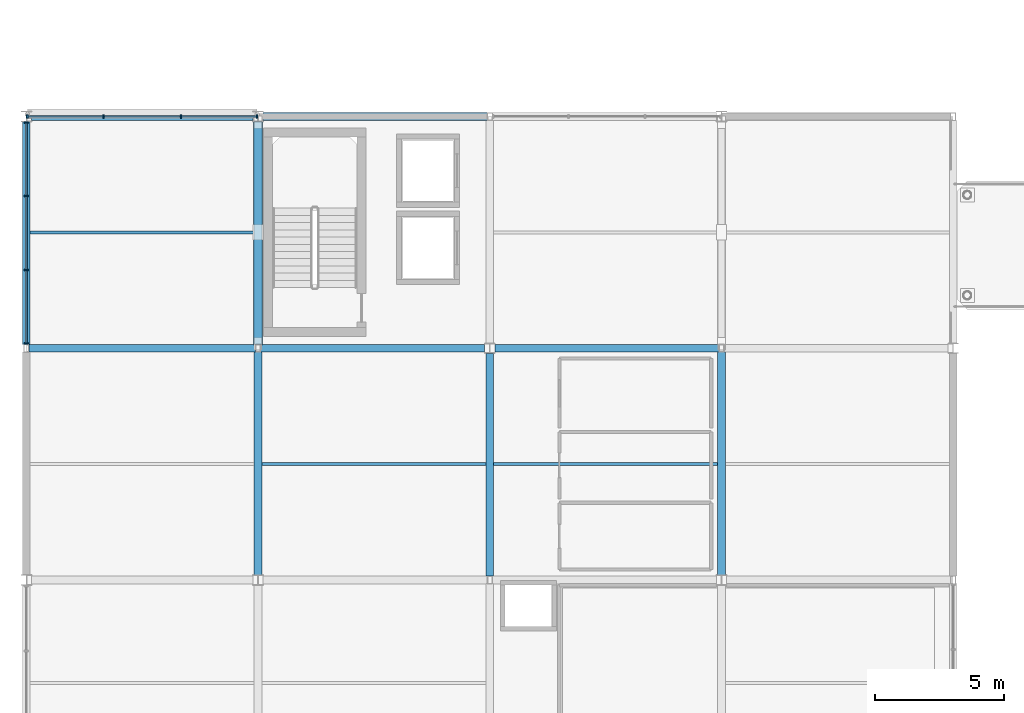
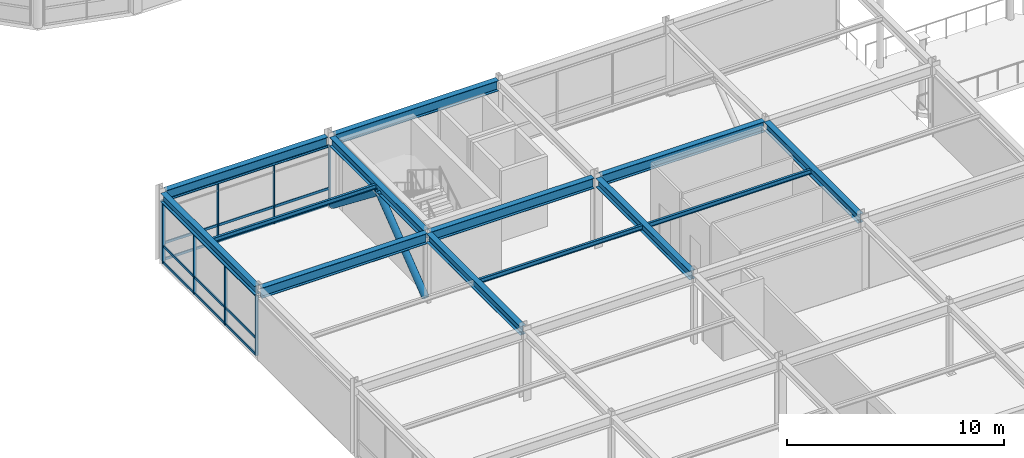
# One storey, part 29 of 105: 28 members, 13 beams, 2 elements without a shape of their own.
"""IFC4 building model written with IfcOpenShell, lengths in metres."""

from ifc_helpers import new_model, si_unit, direction, frame, origin, origin_2d, place, context, subcontext, project, spatial, rectangle, hollow_circle, i_section, extrude, material, material_profile, profile_set, type_object, element, aggregate, save


model = new_model("IFC4")

# Units and contexts
model_context = context("Model", 3, precision=1e-05, world=origin(), true_north=direction((0.0, 1.0)))
body_context = subcontext(model_context, "Body", "Model", "MODEL_VIEW")
ifc_project = project(units=[si_unit("LENGTHUNIT", "METRE"), si_unit("AREAUNIT", "SQUARE_METRE"), si_unit("VOLUMEUNIT", "CUBIC_METRE"), si_unit("PLANEANGLEUNIT", "RADIAN"), si_unit("MASSUNIT", "GRAM", prefix="KILO")], contexts=[model_context])

# Site, building, storey
site_placement = place(None, origin())
site = spatial("IfcSite", under=ifc_project, at=site_placement, CompositionType="ELEMENT")
building_placement = place(site_placement, origin())
building = spatial("IfcBuilding", under=site, at=building_placement, Name="Suzunagisa Mobility Hub", CompositionType="ELEMENT")
storey_placement = place(building_placement, frame((0.0, 0.0, 5.10009765625)))
storey = spatial("IfcBuildingStorey", under=building, at=storey_placement, Name="L01", CompositionType="ELEMENT", Elevation=5.10009765625)

# Curtain wall, members
ifc_material_1 = material(Name="Thermally Broken Anodized Aluminum and Low-E Glazing", Category="aluminium")
curtain_wall_type_1 = type_object("IfcCurtainWallType", Name="Unitised Curtain Wall CW-41 9000x3400", PredefinedType="USERDEFINED", material=ifc_material_1)
curtain_wall_1_placement = place(storey_placement, origin())
curtain_wall_1 = element("IfcCurtainWall", 1, at=curtain_wall_1_placement, inside=storey, type_object=curtain_wall_type_1, Name="L01 Unitised Curtain Wall CW-18", ObjectType="UNITISED CURTAIN WALL", PredefinedType="USERDEFINED")
ifc_material_2 = material(Name="Anodized Aluminum 6063-T6", Category="aluminium")
ifc_material_profile_1 = material_profile(ifc_material_2, rectangle(XDim=0.06494140625, YDim=0.139892578125, at=origin_2d()), Name="TRAN-65x140")
ifc_profile_set_1 = profile_set([ifc_material_profile_1], Name="Anodized Aluminum 6063-T6")
member_type_1 = type_object("IfcMemberType", Name="Curtain Wall Framing CM-01 TRAN-65x140", PredefinedType="USERDEFINED", material=ifc_profile_set_1)
member_1_placement = place(storey_placement, frame((8.9375, 62.0, 0.032470703125), z_axis=(-1.0, 0.0, 0.0), x_axis=(0.0, -1.0, 0.0)))
member_1 = element("IfcMember", 2, at=member_1_placement, type_object=member_type_1, Name="Curtain Wall Transom 18-T1.1", ObjectType="TRANSOM", PredefinedType="USERDEFINED", context=body_context, shape_type="SweptSolid", body=[
    extrude(rectangle(XDim=0.06494140625, YDim=0.139892578125, at=origin_2d()), origin(), (0.0, 0.0, 1.0), 2.910888671875),
])
member_2_placement = place(storey_placement, frame((8.9375, 62.0, 0.949951171875), z_axis=(-1.0, 0.0, 0.0), x_axis=(0.0, -1.0, 0.0)))
member_2 = element("IfcMember", 3, at=member_2_placement, type_object=member_type_1, Name="Curtain Wall Transom 18-T1.2", ObjectType="TRANSOM", PredefinedType="USERDEFINED", context=body_context, shape_type="SweptSolid", body=[
    extrude(rectangle(XDim=0.06494140625, YDim=0.139892578125, at=origin_2d()), origin(), (0.0, 0.0, 1.0), 2.910888671875),
])
member_3_placement = place(storey_placement, frame((8.9375, 62.0, 3.33935546875), z_axis=(-1.0, 0.0, 0.0), x_axis=(0.0, -1.0, 0.0)))
member_3 = element("IfcMember", 4, at=member_3_placement, type_object=member_type_1, Name="Curtain Wall Transom 18-T1.3", ObjectType="TRANSOM", PredefinedType="USERDEFINED", context=body_context, shape_type="SweptSolid", body=[
    extrude(rectangle(XDim=0.06494140625, YDim=0.139892578125, at=origin_2d()), origin(), (0.0, 0.0, 1.0), 2.910888671875),
])
member_4_placement = place(storey_placement, frame((5.970458984375, 62.0, 0.032470703125), z_axis=(-1.0, 0.0, 0.0), x_axis=(0.0, -1.0, 0.0)))
member_4 = element("IfcMember", 5, at=member_4_placement, type_object=member_type_1, Name="Curtain Wall Transom 18-T2.1", ObjectType="TRANSOM", PredefinedType="USERDEFINED", context=body_context, shape_type="SweptSolid", body=[
    extrude(rectangle(XDim=0.06494140625, YDim=0.139892578125, at=origin_2d()), origin(), (0.0, 0.0, 1.0), 2.94091796875),
])
member_5_placement = place(storey_placement, frame((5.970458984375, 62.0, 0.949951171875), z_axis=(-1.0, 0.0, 0.0), x_axis=(0.0, -1.0, 0.0)))
member_5 = element("IfcMember", 6, at=member_5_placement, type_object=member_type_1, Name="Curtain Wall Transom 18-T2.2", ObjectType="TRANSOM", PredefinedType="USERDEFINED", context=body_context, shape_type="SweptSolid", body=[
    extrude(rectangle(XDim=0.06494140625, YDim=0.139892578125, at=origin_2d()), origin(), (0.0, 0.0, 1.0), 2.94091796875),
])
member_6_placement = place(storey_placement, frame((5.970458984375, 62.0, 3.33935546875), z_axis=(-1.0, 0.0, 0.0), x_axis=(0.0, -1.0, 0.0)))
member_6 = element("IfcMember", 7, at=member_6_placement, type_object=member_type_1, Name="Curtain Wall Transom 18-T2.3", ObjectType="TRANSOM", PredefinedType="USERDEFINED", context=body_context, shape_type="SweptSolid", body=[
    extrude(rectangle(XDim=0.06494140625, YDim=0.139892578125, at=origin_2d()), origin(), (0.0, 0.0, 1.0), 2.94091796875),
])
member_7_placement = place(storey_placement, frame((2.973388671875, 62.0, 0.032470703125), z_axis=(-1.0, 0.0, 0.0), x_axis=(0.0, -1.0, 0.0)))
member_7 = element("IfcMember", 8, at=member_7_placement, type_object=member_type_1, Name="Curtain Wall Transom 18-T3.1", ObjectType="TRANSOM", PredefinedType="USERDEFINED", context=body_context, shape_type="SweptSolid", body=[
    extrude(rectangle(XDim=0.06494140625, YDim=0.139892578125, at=origin_2d()), origin(), (0.0, 0.0, 1.0), 2.910888671875),
])
member_8_placement = place(storey_placement, frame((2.973388671875, 62.0, 0.949951171875), z_axis=(-1.0, 0.0, 0.0), x_axis=(0.0, -1.0, 0.0)))
member_8 = element("IfcMember", 9, at=member_8_placement, type_object=member_type_1, Name="Curtain Wall Transom 18-T3.2", ObjectType="TRANSOM", PredefinedType="USERDEFINED", context=body_context, shape_type="SweptSolid", body=[
    extrude(rectangle(XDim=0.06494140625, YDim=0.139892578125, at=origin_2d()), origin(), (0.0, 0.0, 1.0), 2.910888671875),
])
member_9_placement = place(storey_placement, frame((2.973388671875, 62.0, 3.33935546875), z_axis=(-1.0, 0.0, 0.0), x_axis=(0.0, -1.0, 0.0)))
member_9 = element("IfcMember", 10, at=member_9_placement, type_object=member_type_1, Name="Curtain Wall Transom 18-T3.3", ObjectType="TRANSOM", PredefinedType="USERDEFINED", context=body_context, shape_type="SweptSolid", body=[
    extrude(rectangle(XDim=0.06494140625, YDim=0.139892578125, at=origin_2d()), origin(), (0.0, 0.0, 1.0), 2.910888671875),
])

curtain_wall_type_2 = type_object("IfcCurtainWallType", Name="Unitised Curtain Wall CW-45 8750x3400", PredefinedType="USERDEFINED", material=ifc_material_1)
curtain_wall_2_placement = place(storey_placement, origin())
curtain_wall_2 = element("IfcCurtainWall", 11, at=curtain_wall_2_placement, inside=storey, type_object=curtain_wall_type_2, Name="L01 Unitised Curtain Wall CW-19", ObjectType="UNITISED CURTAIN WALL", PredefinedType="USERDEFINED")
member_10_placement = place(storey_placement, frame((0.0, 61.741943359375, 0.032470703125), z_axis=(0.0, -1.0, 0.0), x_axis=(1.0, 0.0, 0.0)))
member_10 = element("IfcMember", 12, at=member_10_placement, type_object=member_type_1, Name="Curtain Wall Transom 19-T1.1", ObjectType="TRANSOM", PredefinedType="USERDEFINED", context=body_context, shape_type="SweptSolid", body=[
    extrude(rectangle(XDim=0.06494140625, YDim=0.139892578125, at=origin_2d()), origin(), (0.0, 0.0, 1.0), 2.79736328125),
])
member_11_placement = place(storey_placement, frame((0.0, 61.741943359375, 0.949951171875), z_axis=(0.0, -1.0, 0.0), x_axis=(1.0, 0.0, 0.0)))
member_11 = element("IfcMember", 13, at=member_11_placement, type_object=member_type_1, Name="Curtain Wall Transom 19-T1.2", ObjectType="TRANSOM", PredefinedType="USERDEFINED", context=body_context, shape_type="SweptSolid", body=[
    extrude(rectangle(XDim=0.06494140625, YDim=0.139892578125, at=origin_2d()), origin(), (0.0, 0.0, 1.0), 2.79736328125),
])
member_12_placement = place(storey_placement, frame((0.0, 61.741943359375, 3.33935546875), z_axis=(0.0, -1.0, 0.0), x_axis=(1.0, 0.0, 0.0)))
member_12 = element("IfcMember", 14, at=member_12_placement, type_object=member_type_1, Name="Curtain Wall Transom 19-T1.3", ObjectType="TRANSOM", PredefinedType="USERDEFINED", context=body_context, shape_type="SweptSolid", body=[
    extrude(rectangle(XDim=0.06494140625, YDim=0.139892578125, at=origin_2d()), origin(), (0.0, 0.0, 1.0), 2.79736328125),
])
member_13_placement = place(storey_placement, frame((0.0, 58.888671875, 0.032470703125), z_axis=(0.0, -1.0, 0.0), x_axis=(1.0, 0.0, 0.0)))
member_13 = element("IfcMember", 15, at=member_13_placement, type_object=member_type_1, Name="Curtain Wall Transom 19-T2.1", ObjectType="TRANSOM", PredefinedType="USERDEFINED", context=body_context, shape_type="SweptSolid", body=[
    extrude(rectangle(XDim=0.06494140625, YDim=0.139892578125, at=origin_2d()), origin(), (0.0, 0.0, 1.0), 2.827392578125),
])
member_14_placement = place(storey_placement, frame((0.0, 58.888671875, 0.949951171875), z_axis=(0.0, -1.0, 0.0), x_axis=(1.0, 0.0, 0.0)))
member_14 = element("IfcMember", 16, at=member_14_placement, type_object=member_type_1, Name="Curtain Wall Transom 19-T2.2", ObjectType="TRANSOM", PredefinedType="USERDEFINED", context=body_context, shape_type="SweptSolid", body=[
    extrude(rectangle(XDim=0.06494140625, YDim=0.139892578125, at=origin_2d()), origin(), (0.0, 0.0, 1.0), 2.827392578125),
])
member_15_placement = place(storey_placement, frame((0.0, 58.888671875, 3.33935546875), z_axis=(0.0, -1.0, 0.0), x_axis=(1.0, 0.0, 0.0)))
member_15 = element("IfcMember", 17, at=member_15_placement, type_object=member_type_1, Name="Curtain Wall Transom 19-T2.3", ObjectType="TRANSOM", PredefinedType="USERDEFINED", context=body_context, shape_type="SweptSolid", body=[
    extrude(rectangle(XDim=0.06494140625, YDim=0.139892578125, at=origin_2d()), origin(), (0.0, 0.0, 1.0), 2.827392578125),
])
member_16_placement = place(storey_placement, frame((0.0, 56.00537109375, 0.032470703125), z_axis=(0.0, -1.0, 0.0), x_axis=(1.0, 0.0, 0.0)))
member_16 = element("IfcMember", 18, at=member_16_placement, type_object=member_type_1, Name="Curtain Wall Transom 19-T3.1", ObjectType="TRANSOM", PredefinedType="USERDEFINED", context=body_context, shape_type="SweptSolid", body=[
    extrude(rectangle(XDim=0.06494140625, YDim=0.139892578125, at=origin_2d()), origin(), (0.0, 0.0, 1.0), 2.79736328125),
])
member_17_placement = place(storey_placement, frame((0.0, 56.00537109375, 0.949951171875), z_axis=(0.0, -1.0, 0.0), x_axis=(1.0, 0.0, 0.0)))
member_17 = element("IfcMember", 19, at=member_17_placement, type_object=member_type_1, Name="Curtain Wall Transom 19-T3.2", ObjectType="TRANSOM", PredefinedType="USERDEFINED", context=body_context, shape_type="SweptSolid", body=[
    extrude(rectangle(XDim=0.06494140625, YDim=0.139892578125, at=origin_2d()), origin(), (0.0, 0.0, 1.0), 2.79736328125),
])
member_18_placement = place(storey_placement, frame((0.0, 56.00537109375, 3.33935546875), z_axis=(0.0, -1.0, 0.0), x_axis=(1.0, 0.0, 0.0)))
member_18 = element("IfcMember", 20, at=member_18_placement, type_object=member_type_1, Name="Curtain Wall Transom 19-T3.3", ObjectType="TRANSOM", PredefinedType="USERDEFINED", context=body_context, shape_type="SweptSolid", body=[
    extrude(rectangle(XDim=0.06494140625, YDim=0.139892578125, at=origin_2d()), origin(), (0.0, 0.0, 1.0), 2.79736328125),
])

# Member
ifc_material_profile_2 = material_profile(ifc_material_2, rectangle(XDim=0.06005859375, YDim=0.14990234375, at=origin_2d()), Name="MULL-60x150")
ifc_profile_set_2 = profile_set([ifc_material_profile_2], Name="Anodized Aluminum 6063-T6")
member_type_2 = type_object("IfcMemberType", Name="Curtain Wall Framing CM-03 MULL-60x150", PredefinedType="MULLION", material=ifc_profile_set_2)
member_19_placement = place(storey_placement, frame((8.965576171875, 62.0, 0.0), z_axis=(0.0, 0.0, 1.0), x_axis=(-1.0, 0.0, 0.0)))
member_19 = element("IfcMember", 21, at=member_19_placement, type_object=member_type_2, Name="Curtain Wall Mullion 18-M1", PredefinedType="MULLION", context=body_context, shape_type="SweptSolid", body=[
    extrude(rectangle(XDim=0.06005859375, YDim=0.14990234375, at=origin_2d()), origin(), (0.0, 0.0, 1.0), 3.371826171875),
])

member_20_placement = place(storey_placement, frame((5.99853515625, 62.0, 0.0), z_axis=(0.0, 0.0, 1.0), x_axis=(-1.0, 0.0, 0.0)))
member_20 = element("IfcMember", 22, at=member_20_placement, type_object=member_type_2, Name="Curtain Wall Mullion 18-M2", PredefinedType="MULLION", context=body_context, shape_type="SweptSolid", body=[
    extrude(rectangle(XDim=0.06005859375, YDim=0.14990234375, at=origin_2d()), origin(), (0.0, 0.0, 1.0), 3.371826171875),
])

member_21_placement = place(storey_placement, frame((3.00146484375, 62.0, 0.0), z_axis=(0.0, 0.0, 1.0), x_axis=(-1.0, 0.0, 0.0)))
member_21 = element("IfcMember", 23, at=member_21_placement, type_object=member_type_2, Name="Curtain Wall Mullion 18-M3", PredefinedType="MULLION", context=body_context, shape_type="SweptSolid", body=[
    extrude(rectangle(XDim=0.06005859375, YDim=0.14990234375, at=origin_2d()), origin(), (0.0, 0.0, 1.0), 3.371826171875),
])

member_22_placement = place(storey_placement, frame((0.034423828125, 62.0, 0.0), z_axis=(0.0, 0.0, 1.0), x_axis=(-1.0, 0.0, 0.0)))
member_22 = element("IfcMember", 24, at=member_22_placement, type_object=member_type_2, Name="Curtain Wall Mullion 18-M4", PredefinedType="MULLION", context=body_context, shape_type="SweptSolid", body=[
    extrude(rectangle(XDim=0.06005859375, YDim=0.14990234375, at=origin_2d()), origin(), (0.0, 0.0, 1.0), 3.371826171875),
])

aggregate(curtain_wall_1, [member_19, member_20, member_21, member_22, member_1, member_2, member_3, member_4, member_5, member_6, member_7, member_8, member_9])

member_23_placement = place(storey_placement, frame((0.0, 61.77001953125, 0.0), z_axis=(0.0, 0.0, 1.0), x_axis=(0.0, -1.0, 0.0)))
member_23 = element("IfcMember", 25, at=member_23_placement, type_object=member_type_2, Name="Curtain Wall Mullion 19-M1", PredefinedType="MULLION", context=body_context, shape_type="SweptSolid", body=[
    extrude(rectangle(XDim=0.06005859375, YDim=0.14990234375, at=origin_2d()), origin(), (0.0, 0.0, 1.0), 3.371826171875),
])

member_24_placement = place(storey_placement, frame((0.0, 58.916748046875, 0.0), z_axis=(0.0, 0.0, 1.0), x_axis=(0.0, -1.0, 0.0)))
member_24 = element("IfcMember", 26, at=member_24_placement, type_object=member_type_2, Name="Curtain Wall Mullion 19-M2", PredefinedType="MULLION", context=body_context, shape_type="SweptSolid", body=[
    extrude(rectangle(XDim=0.06005859375, YDim=0.14990234375, at=origin_2d()), origin(), (0.0, 0.0, 1.0), 3.371826171875),
])

member_25_placement = place(storey_placement, frame((0.0, 56.033203125, 0.0), z_axis=(0.0, 0.0, 1.0), x_axis=(0.0, -1.0, 0.0)))
member_25 = element("IfcMember", 27, at=member_25_placement, type_object=member_type_2, Name="Curtain Wall Mullion 19-M3", PredefinedType="MULLION", context=body_context, shape_type="SweptSolid", body=[
    extrude(rectangle(XDim=0.06005859375, YDim=0.14990234375, at=origin_2d()), origin(), (0.0, 0.0, 1.0), 3.371826171875),
])

member_26_placement = place(storey_placement, frame((0.0, 53.179931640625, 0.0), z_axis=(0.0, 0.0, 1.0), x_axis=(0.0, -1.0, 0.0)))
member_26 = element("IfcMember", 28, at=member_26_placement, type_object=member_type_2, Name="Curtain Wall Mullion 19-M4", PredefinedType="MULLION", context=body_context, shape_type="SweptSolid", body=[
    extrude(rectangle(XDim=0.06005859375, YDim=0.14990234375, at=origin_2d()), origin(), (0.0, 0.0, 1.0), 3.371826171875),
])

aggregate(curtain_wall_2, [member_23, member_24, member_25, member_26, member_10, member_11, member_12, member_13, member_14, member_15, member_16, member_17, member_18])

# Members
ifc_material_3 = material(Name="Steel SN490B", Category="steel")
ifc_material_profile_3 = material_profile(ifc_material_3, hollow_circle(Radius=0.177734375, WallThickness=0.0126953125, at=origin_2d()), Name="CHS-355.6x12.7")
ifc_profile_set_3 = profile_set([ifc_material_profile_3], Name="Steel SN490B")
member_type_3 = type_object("IfcMemberType", Name="Roof Truss and Brace Member MB-03 CHS-355.6x12.7", PredefinedType="BRACE", material=ifc_profile_set_3)
member_27_placement = place(storey_placement, frame((9.0, 53.169921875, 0.119873046875), z_axis=(0.0, 0.79197780909, 0.610549875039), x_axis=(-1.0, 0.0, 0.0)))
element("IfcMember", 29, at=member_27_placement, inside=storey, type_object=member_type_3, Name="L01 Concentric Lateral Brace BR-5", PredefinedType="BRACE", context=body_context, shape_type="SweptSolid", body=[
    extrude(hollow_circle(Radius=0.177734375, WallThickness=0.0126953125, at=origin_2d()), origin(), (0.0, 0.0, 1.0), 5.467529296875),
])
member_28_placement = place(storey_placement, frame((9.0, 61.780029296875, 0.119873046875), z_axis=(0.0, -0.788528044406, 0.614998799336), x_axis=(1.0, 0.0, 0.0)))
element("IfcMember", 30, at=member_28_placement, inside=storey, type_object=member_type_3, Name="L01 Concentric Lateral Brace BR-6", PredefinedType="BRACE", context=body_context, shape_type="SweptSolid", body=[
    extrude(hollow_circle(Radius=0.177734375, WallThickness=0.0126953125, at=origin_2d()), origin(), (0.0, 0.0, 1.0), 5.427978515625),
])

# Beams
ifc_material_profile_4 = material_profile(ifc_material_3, i_section(OverallWidth=0.300048828125, OverallDepth=0.488037109375, WebThickness=0.010986328125, FlangeThickness=0.01806640625, FilletRadius=0.012939453125, at=origin_2d()), Name="H-488x300x11x18")
ifc_profile_set_4 = profile_set([ifc_material_profile_4], Name="Steel SN490B")
beam_type_1 = type_object("IfcBeamType", Name="Steel Beam BM-06 H-488x300x11x18", PredefinedType="BEAM", material=ifc_profile_set_4)
for number, where, z_axis, x_axis, name in (
    (31, (0.0, 53.14599609375, 3.7158203125), (0.0, 1.0, 0.0), (-1.0, 0.0, 0.0), "L01 Primary Girder GY-212"),
    (32, (9.0, 44.196044921875, 3.7158203125), (0.0, 1.0, 0.0), (-1.0, 0.0, 0.0), "L01 Primary Girder GY-217"),
    (33, (9.0, 53.14599609375, 3.7158203125), (0.0, 1.0, 0.0), (-1.0, 0.0, 0.0), "L01 Primary Girder GY-218"),
    (34, (18.0, 44.14599609375, 3.7158203125), (0.0, 1.0, 0.0), (-1.0, 0.0, 0.0), "L01 Primary Girder GY-223"),
    (35, (27.0, 44.196044921875, 3.7158203125), (0.0, 1.0, 0.0), (-1.0, 0.0, 0.0), "L01 Primary Girder GY-229"),
):
    element("IfcBeam", number, at=place(storey_placement, frame(where, z_axis=z_axis, x_axis=x_axis)), inside=storey, type_object=beam_type_1, Name=name, PredefinedType="BEAM", context=body_context, shape_type="SweptSolid", body=[
        extrude(i_section(OverallWidth=0.300048828125, OverallDepth=0.488037109375, WebThickness=0.010986328125, FlangeThickness=0.01806640625, FilletRadius=0.012939453125, at=origin_2d()), origin(), (0.0, 0.0, 1.0), 8.657958984375),
    ])
ifc_material_profile_5 = material_profile(ifc_material_3, i_section(OverallWidth=0.300048828125, OverallDepth=0.587890625, WebThickness=0.011962890625, FlangeThickness=0.02001953125, FilletRadius=0.012939453125, at=origin_2d()), Name="H-588x300x12x20")
ifc_profile_set_5 = profile_set([ifc_material_profile_5], Name="Steel SN490B")
beam_type_2 = type_object("IfcBeamType", Name="Steel Beam BM-16 H-588x300x12x20", PredefinedType="BEAM", material=ifc_profile_set_5)
beam_1_placement = place(storey_placement, frame((0.095947265625, 53.0, 3.666015625), z_axis=(1.0, 0.0, 0.0), x_axis=(0.0, 1.0, 0.0)))
element("IfcBeam", 36, at=beam_1_placement, inside=storey, type_object=beam_type_2, Name="L01 Primary Girder GX-200", PredefinedType="BEAM", context=body_context, shape_type="SweptSolid", body=[
    extrude(i_section(OverallWidth=0.300048828125, OverallDepth=0.587890625, WebThickness=0.011962890625, FlangeThickness=0.02001953125, FilletRadius=0.012939453125, at=origin_2d()), origin(), (0.0, 0.0, 1.0), 8.80810546875),
])
for number, where, z_axis, x_axis, name in (
    (37, (9.095947265625, 53.0, 3.666015625), (1.0, 0.0, 0.0), (0.0, 1.0, 0.0), "L01 Primary Girder GX-201"),
    (38, (18.196044921875, 53.0, 3.666015625), (1.0, 0.0, 0.0), (0.0, 1.0, 0.0), "L01 Primary Girder GX-202"),
):
    element("IfcBeam", number, at=place(storey_placement, frame(where, z_axis=z_axis, x_axis=x_axis)), inside=storey, type_object=beam_type_2, Name=name, PredefinedType="BEAM", context=body_context, shape_type="SweptSolid", body=[
        extrude(i_section(OverallWidth=0.300048828125, OverallDepth=0.587890625, WebThickness=0.011962890625, FlangeThickness=0.02001953125, FilletRadius=0.012939453125, at=origin_2d()), origin(), (0.0, 0.0, 1.0), 8.7080078125),
    ])
beam_2_placement = place(storey_placement, frame((0.196044921875, 62.0, 3.666015625), z_axis=(1.0, 0.0, 0.0), x_axis=(0.0, 1.0, 0.0)))
element("IfcBeam", 39, at=beam_2_placement, inside=storey, type_object=beam_type_2, Name="L01 Primary Girder GX-204", PredefinedType="BEAM", context=body_context, shape_type="SweptSolid", body=[
    extrude(i_section(OverallWidth=0.300048828125, OverallDepth=0.587890625, WebThickness=0.011962890625, FlangeThickness=0.02001953125, FilletRadius=0.012939453125, at=origin_2d()), origin(), (0.0, 0.0, 1.0), 8.60791015625),
])
beam_3_placement = place(storey_placement, frame((9.196044921875, 62.0, 3.666015625), z_axis=(1.0, 0.0, 0.0), x_axis=(0.0, 1.0, 0.0)))
element("IfcBeam", 40, at=beam_3_placement, inside=storey, type_object=beam_type_2, Name="L01 Primary Girder GX-205", PredefinedType="BEAM", context=body_context, shape_type="SweptSolid", body=[
    extrude(i_section(OverallWidth=0.300048828125, OverallDepth=0.587890625, WebThickness=0.011962890625, FlangeThickness=0.02001953125, FilletRadius=0.012939453125, at=origin_2d()), origin(), (0.0, 0.0, 1.0), 8.7080078125),
])
ifc_material_4 = material(Name="Steel SN400B", Category="steel")
ifc_material_profile_6 = material_profile(ifc_material_4, i_section(OverallWidth=0.125, OverallDepth=0.25, WebThickness=0.006103515625, FlangeThickness=0.009033203125, FilletRadius=0.008056640625, at=origin_2d()), Name="H-250x125x6x9")
ifc_profile_set_6 = profile_set([ifc_material_profile_6], Name="Steel SN400B")
beam_type_3 = type_object("IfcBeamType", Name="Steel Beam BM-21 H-250x125x6x9", PredefinedType="JOIST", material=ifc_profile_set_6)
for number, where, z_axis, x_axis, name in (
    (41, (0.14990234375, 57.5, 3.8349609375), (1.0, 0.0, 0.0), (0.0, 1.0, 0.0), "L01 Composite Floor Joist J-242"),
    (42, (9.14990234375, 48.5, 3.8349609375), (1.0, 0.0, 0.0), (0.0, 1.0, 0.0), "L01 Composite Floor Joist J-246"),
    (43, (18.14990234375, 48.5, 3.8349609375), (1.0, 0.0, 0.0), (0.0, 1.0, 0.0), "L01 Composite Floor Joist J-250"),
):
    element("IfcBeam", number, at=place(storey_placement, frame(where, z_axis=z_axis, x_axis=x_axis)), inside=storey, type_object=beam_type_3, Name=name, PredefinedType="JOIST", context=body_context, shape_type="SweptSolid", body=[
        extrude(i_section(OverallWidth=0.125, OverallDepth=0.25, WebThickness=0.006103515625, FlangeThickness=0.009033203125, FilletRadius=0.008056640625, at=origin_2d()), origin(), (0.0, 0.0, 1.0), 8.7001953125),
    ])

save(model, "model.ifc")
